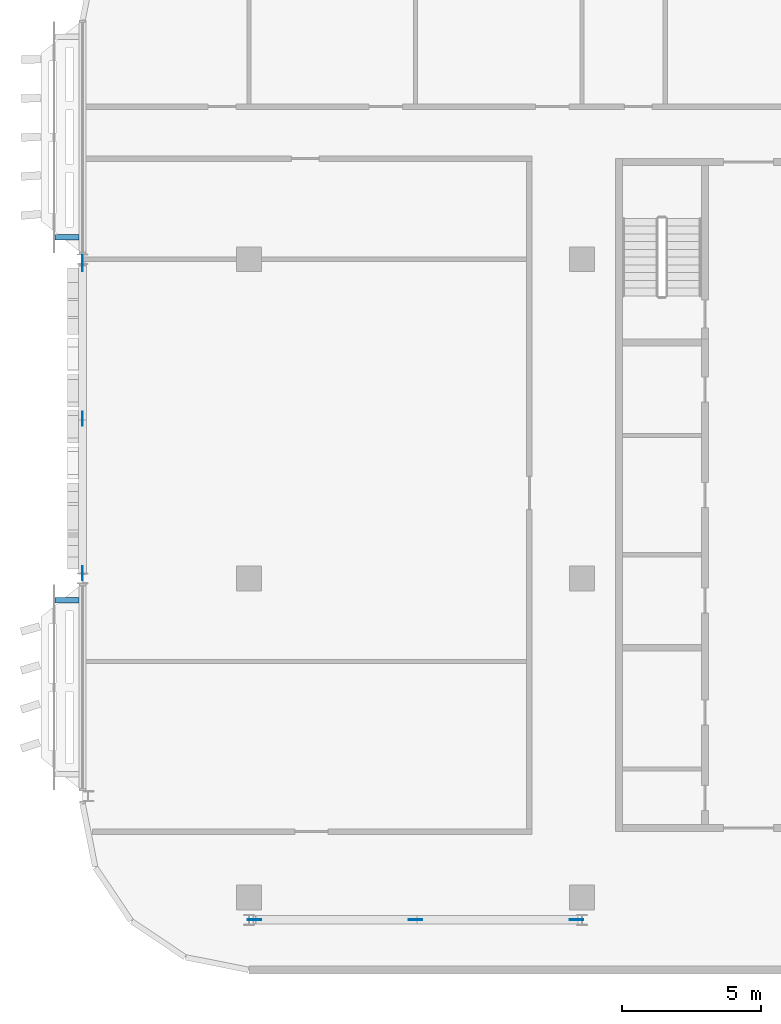
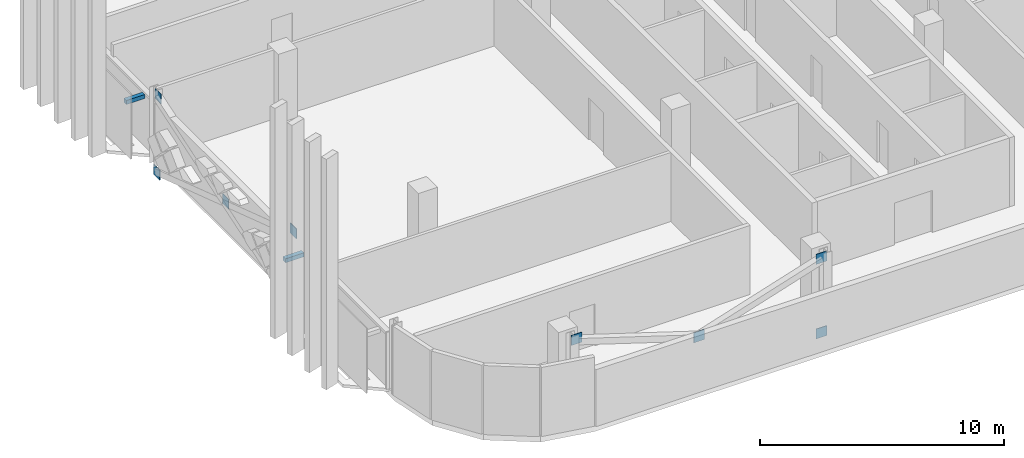
# One storey, part 19 of 30: 10 discrete accessories.
"""IFC4 building model written with IfcOpenShell, lengths in metres."""

from ifc_helpers import new_model, si_unit, direction, frame, origin, origin_2d, place, context, subcontext, project, spatial, rectangle, extrude, material, layer, layer_set, type_object, element, save


model = new_model("IFC4")

# Units and contexts
model_context = context("Model", 3, precision=1e-05, world=origin(), true_north=direction((0.0, 1.0)))
body_context = subcontext(model_context, "Body", "Model", "MODEL_VIEW")
ifc_project = project(units=[si_unit("LENGTHUNIT", "METRE"), si_unit("AREAUNIT", "SQUARE_METRE"), si_unit("VOLUMEUNIT", "CUBIC_METRE"), si_unit("PLANEANGLEUNIT", "RADIAN"), si_unit("MASSUNIT", "GRAM", prefix="KILO")], contexts=[model_context])

# Site, building, storey
site_placement = place(None, origin())
site = spatial("IfcSite", under=ifc_project, at=site_placement, CompositionType="ELEMENT")
building_placement = place(site_placement, origin())
building = spatial("IfcBuilding", under=site, at=building_placement, Name="Mahtab Terrace Research Tower", CompositionType="ELEMENT")
storey_placement = place(building_placement, frame((0.0, 0.0, 263.300048828125)))
storey = spatial("IfcBuildingStorey", under=building, at=storey_placement, Name="L64", CompositionType="ELEMENT", Elevation=263.300048828125)

# Discrete accessories
ifc_material_1 = material(Name="Black anodised aluminium", Category="aluminium")
discrete_accessory_type_1 = type_object("IfcDiscreteAccessoryType", Name="Facade bracket", PredefinedType="BRACKET", material=ifc_material_1)
for number, where, z_axis, x_axis, name in (
    (1, (-48.5625, 12.2880859375, 2.552734375), (0.0, 0.0, 1.0), (0.0, -1.0, 0.0), "Screen bracket Girih screen L64 W9"),
    (2, (-48.5625, -0.7880859375, 2.552734375), (0.0, 0.0, 1.0), (0.0, -1.0, 0.0), "Screen bracket Girih screen L64 W11"),
):
    element("IfcDiscreteAccessory", number, at=place(storey_placement, frame(where, z_axis=z_axis, x_axis=x_axis)), inside=storey, type_object=discrete_accessory_type_1, Name=name, PredefinedType="BRACKET", context=body_context, shape_type="SweptSolid", body=[
        extrude(rectangle(XDim=0.199951171875, YDim=0.875, at=origin_2d()), origin(), (0.0, 0.0, 1.0), 0.199951171875),
    ])
ifc_material_2 = material(Name="Steel ASTM A992 Gr 50", Category="steel")
ifc_layer = layer(ifc_material_2, 0.030029296875)
ifc_layer_set = layer_set([ifc_layer], Name="Gusset plate 500x500x30")
discrete_accessory_type_2 = type_object("IfcDiscreteAccessoryType", Name="Gusset plate 500x500x30", PredefinedType="USERDEFINED", material=ifc_layer_set)
for number, where, z_axis, x_axis, name in (
    (3, (-41.80322265625, -12.306884765625, 2.906494140625), (0.0, 0.0, 1.0), (1.0, 0.0, 0.0), "Gusset plate"),
    (4, (-36.0, -12.306884765625, 1.00634765625), (0.0, 0.0, 1.0), (1.0, 0.0, 0.0), "Gusset plate"),
    (5, (-30.197021484375, -12.306884765625, -0.831298828125), (0.0, 0.0, 1.0), (1.0, 0.0, 0.0), "Gusset plate"),
    (6, (-30.197021484375, -12.306884765625, 2.906494140625), (0.0, 0.0, 1.0), (1.0, 0.0, 0.0), "Gusset plate"),
    (7, (-48.0, 0.18798828125, 2.906494140625), (0.0, 0.0, 1.0), (0.0, 1.0, 0.0), "Gusset plate"),
    (8, (-48.0, 5.75, 1.00634765625), (0.0, 0.0, 1.0), (0.0, 1.0, 0.0), "Gusset plate"),
    (9, (-48.0, 11.406005859375, -0.9609375), (0.0, 0.0, 1.0), (0.0, 1.0, 0.0), "Gusset plate"),
    (10, (-48.0, 11.31201171875, 2.906494140625), (0.0, 0.0, 1.0), (0.0, 1.0, 0.0), "Gusset plate"),
):
    element("IfcDiscreteAccessory", number, at=place(storey_placement, frame(where, z_axis=z_axis, x_axis=x_axis)), inside=storey, type_object=discrete_accessory_type_2, Name=name, ObjectType="GUSSET PLATE", PredefinedType="USERDEFINED", context=body_context, shape_type="SweptSolid", body=[
        extrude(rectangle(XDim=0.5, YDim=0.030029296875, at=origin_2d()), origin(), (0.0, 0.0, 1.0), 0.5),
    ])

save(model, "model.ifc")
